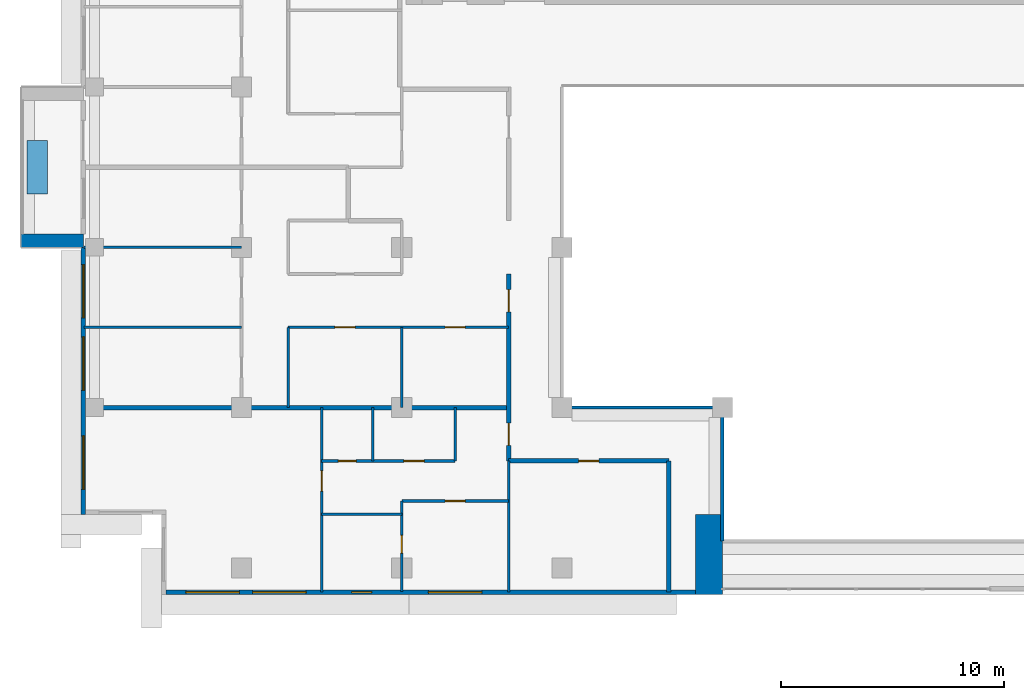
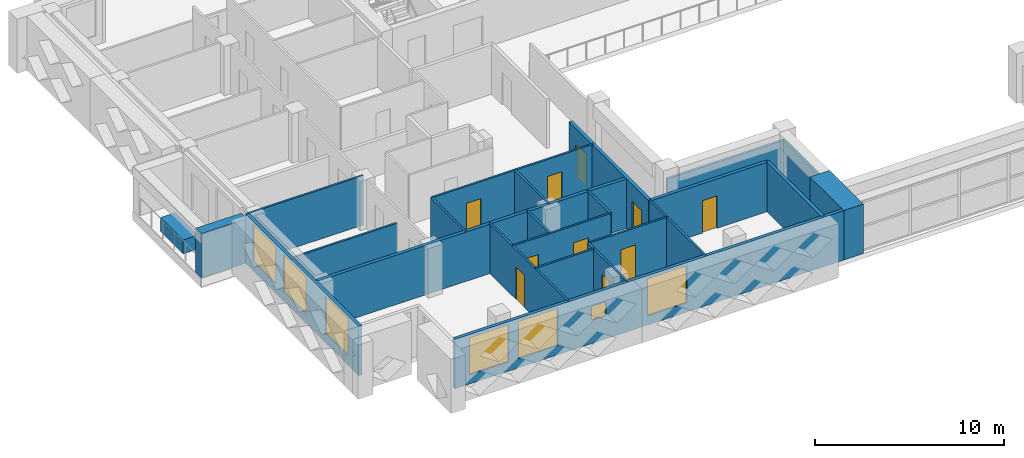
# One storey, part 6 of 20: 24 walls, 10 doors, 7 windows, 17 openings.
"""IFC4 building model written with IfcOpenShell, lengths in metres."""

from ifc_helpers import new_model, si_unit, direction, frame, frame_2d, origin, place, context, subcontext, project, spatial, rectangle, extrude, material, layer, layer_set, type_object, element, fill, save


model = new_model("IFC4")

# Units and contexts
model_context = context("Model", 3, precision=1e-05, world=origin(), true_north=direction((0.0, 1.0)))
body_context = subcontext(model_context, "Body", "Model", "MODEL_VIEW")
ifc_project = project(units=[si_unit("LENGTHUNIT", "METRE"), si_unit("AREAUNIT", "SQUARE_METRE"), si_unit("VOLUMEUNIT", "CUBIC_METRE"), si_unit("PLANEANGLEUNIT", "RADIAN"), si_unit("MASSUNIT", "GRAM", prefix="KILO")], contexts=[model_context])

# Site, building, storey
site_placement = place(None, origin())
site = spatial("IfcSite", under=ifc_project, at=site_placement, CompositionType="ELEMENT")
building_placement = place(site_placement, origin())
building = spatial("IfcBuilding", under=site, at=building_placement, Name="Saffron Iwan Residences", CompositionType="ELEMENT")
storey_placement = place(building_placement, frame((0.0, 0.0, 185.0)))
storey = spatial("IfcBuildingStorey", under=building, at=storey_placement, Name="L49", CompositionType="ELEMENT", Elevation=185.0)

# Walls
ifc_material_1 = material(Name="Fire-rated glazing", Category="glass")
ifc_layer_1 = layer(ifc_material_1, 0.14990234375)
ifc_layer_set_1 = layer_set([ifc_layer_1], Name="Fire-rated glazing")
wall_type_1 = type_object("IfcWallType", Name="Atrium glazed screen 150", PredefinedType="SOLIDWALL", material=ifc_layer_set_1)
wall_1_placement = place(storey_placement, frame((36.0, 48.0, 0.0), z_axis=(0.0, 0.0, 1.0), x_axis=(1.0, 0.0, 0.0)))
element("IfcWall", 1, at=wall_1_placement, inside=storey, type_object=wall_type_1, Name="W-L49-SCREEN-h48-36", PredefinedType="SOLIDWALL", context=body_context, shape_type="SweptSolid", body=[
    extrude(rectangle(XDim=7.199951171875, YDim=0.14990234375, at=frame_2d((3.60009765625, 0.0))), origin(), (0.0, 0.0, 1.0), 2.300048828125),
])
wall_2_placement = place(storey_placement, frame((43.199951171875, 42.0, 0.0), z_axis=(0.0, 0.0, 1.0), x_axis=(0.0, 1.0, 0.0)))
element("IfcWall", 2, at=wall_2_placement, inside=storey, type_object=wall_type_1, Name="W-L49-SCREEN-v43.2-42", PredefinedType="SOLIDWALL", context=body_context, shape_type="SweptSolid", body=[
    extrude(rectangle(XDim=6.0, YDim=0.14990234375, at=frame_2d((3.0, 0.0))), origin(), (0.0, 0.0, 1.0), 2.300048828125),
])
ifc_material_2 = material(Name="Concrete C50/60 white painted", Category="concrete")
ifc_layer_2 = layer(ifc_material_2, 0.60009765625)
ifc_layer_set_2 = layer_set([ifc_layer_2], Name="Concrete C50/60 white painted")
wall_type_2 = type_object("IfcWallType", Name="BALCONY FIN 600", PredefinedType="SOLIDWALL", material=ifc_layer_set_2)
wall_3_placement = place(storey_placement, frame((14.5, 55.5, 0.0), z_axis=(0.0, 0.0, 1.0), x_axis=(-1.0, 0.0, 0.0)))
element("IfcWall", 3, at=wall_3_placement, inside=storey, type_object=wall_type_2, Name="Balcony fin L49 F8-0b", PredefinedType="SOLIDWALL", context=body_context, shape_type="SweptSolid", body=[
    extrude(rectangle(XDim=2.800048828125, YDim=0.60009765625, at=frame_2d((1.39990234375, 0.0))), origin(), (0.0, 0.0, 1.0), 2.85009765625),
])
ifc_material_3 = material(Name="Concrete C35/45 white painted", Category="concrete")
ifc_layer_3 = layer(ifc_material_3, 0.14990234375)
ifc_layer_set_3 = layer_set([ifc_layer_3], Name="Concrete C35/45 white painted")
wall_type_3 = type_object("IfcWallType", Name="BALCONY PLANTER", PredefinedType="SOLIDWALL", material=ifc_layer_set_3)
wall_4_placement = place(storey_placement, frame((12.425048828125, 60.0, 0.0), z_axis=(0.0, 0.0, 1.0), x_axis=(0.0, -1.0, 0.0)))
element("IfcWall", 4, at=wall_4_placement, inside=storey, type_object=wall_type_3, Name="PLANTER L49 F8-0", PredefinedType="SOLIDWALL", context=body_context, shape_type="SweptSolid", body=[
    extrude(rectangle(XDim=2.39990234375, YDim=0.89990234375, at=frame_2d((1.199951171875, 0.0))), origin(), (0.0, 0.0, 1.0), 0.89990234375),
])

# Wall, openings, windows
ifc_material_4 = material(Name="Concrete C40/50", Category="concrete")
ifc_layer_4 = layer(ifc_material_4, 0.199951171875)
ifc_layer_set_4 = layer_set([ifc_layer_4], Name="Concrete C40/50")
wall_type_4 = type_object("IfcWallType", Name="EXTERNAL WALL 200", PredefinedType="SOLIDWALL", material=ifc_layer_set_4)
wall_5_placement = place(storey_placement, frame((14.5, 55.199951171875, 0.0), z_axis=(0.0, 0.0, 1.0), x_axis=(0.0, -1.0, 0.0)))
wall_5 = element("IfcWall", 5, at=wall_5_placement, inside=storey, type_object=wall_type_4, Name="External wall L49 F8.2", PredefinedType="SOLIDWALL", context=body_context, shape_type="SweptSolid", body=[
    extrude(rectangle(XDim=12.0, YDim=0.199951171875, at=frame_2d((6.0, 0.0))), origin(), (0.0, 0.0, 1.0), 3.199951171875),
])
opening_1_placement = place(wall_5_placement, frame((8.47509765625, 0.0, 0.60009765625)))
opening_1 = element("IfcOpeningElement", 6, at=opening_1_placement, cuts=wall_5, Name="Opening W1", PredefinedType="OPENING", context=body_context, shape_type="SweptSolid", body=[
    extrude(rectangle(XDim=2.39990234375, YDim=2.39990234375, at=frame_2d((1.199951171875, 1.199951171875))), frame((0.0, 0.10986328125, 0.0), z_axis=(0.0, -1.0, 0.0), x_axis=(1.0, 0.0, 0.0)), (0.0, 0.0, 1.0), 0.219970703125),
])
opening_2_placement = place(wall_5_placement, frame((4.02490234375, 0.0, 0.60009765625)))
opening_2 = element("IfcOpeningElement", 7, at=opening_2_placement, cuts=wall_5, Name="Opening W1", PredefinedType="OPENING", context=body_context, shape_type="SweptSolid", body=[
    extrude(rectangle(XDim=2.39990234375, YDim=2.39990234375, at=frame_2d((1.199951171875, 1.199951171875))), frame((0.0, 0.10986328125, 0.0), z_axis=(0.0, -1.0, 0.0), x_axis=(1.0, 0.0, 0.0)), (0.0, 0.0, 1.0), 0.219970703125),
])
opening_3_placement = place(wall_5_placement, frame((0.77490234375, 0.0, 0.60009765625)))
opening_3 = element("IfcOpeningElement", 8, at=opening_3_placement, cuts=wall_5, Name="Opening W1", PredefinedType="OPENING", context=body_context, shape_type="SweptSolid", body=[
    extrude(rectangle(XDim=2.39990234375, YDim=2.39990234375, at=frame_2d((1.199951171875, 1.199951171875))), frame((0.0, 0.10986328125, 0.0), z_axis=(0.0, -1.0, 0.0), x_axis=(1.0, 0.0, 0.0)), (0.0, 0.0, 1.0), 0.219970703125),
])
ifc_material_5 = material(Name="Clear glass, laminated double glazed", Category="glass")
window_type_1 = type_object("IfcWindowType", Name="WINDOW 2400 x 2400", PartitioningType="DOUBLE_PANEL_VERTICAL", PredefinedType="WINDOW", material=ifc_material_5)
window_1_placement = place(opening_1_placement, origin())
window_1 = element("IfcWindow", 9, at=window_1_placement, inside=storey, type_object=window_type_1, Name="Window L49 F8.0", OverallHeight=2.39990234375, OverallWidth=2.39990234375, PartitioningType="DOUBLE_PANEL_VERTICAL", PredefinedType="WINDOW", context=body_context, shape_type="SweptSolid", body=[
    extrude(rectangle(XDim=2.39990234375, YDim=2.39990234375, at=frame_2d((1.199951171875, 1.199951171875))), frame((0.0, 0.030029296875, 0.0), z_axis=(0.0, -1.0, 0.0), x_axis=(1.0, 0.0, 0.0)), (0.0, 0.0, 1.0), 0.06005859375),
])
fill(opening_1, window_1)
window_2_placement = place(opening_2_placement, origin())
window_2 = element("IfcWindow", 10, at=window_2_placement, inside=storey, type_object=window_type_1, Name="Window L49 F8.1", OverallHeight=2.39990234375, OverallWidth=2.39990234375, PartitioningType="DOUBLE_PANEL_VERTICAL", PredefinedType="WINDOW", context=body_context, shape_type="SweptSolid", body=[
    extrude(rectangle(XDim=2.39990234375, YDim=2.39990234375, at=frame_2d((1.199951171875, 1.199951171875))), frame((0.0, 0.030029296875, 0.0), z_axis=(0.0, -1.0, 0.0), x_axis=(1.0, 0.0, 0.0)), (0.0, 0.0, 1.0), 0.06005859375),
])
fill(opening_2, window_2)
window_3_placement = place(opening_3_placement, origin())
window_3 = element("IfcWindow", 11, at=window_3_placement, inside=storey, type_object=window_type_1, Name="Window L49 F8.2", OverallHeight=2.39990234375, OverallWidth=2.39990234375, PartitioningType="DOUBLE_PANEL_VERTICAL", PredefinedType="WINDOW", context=body_context, shape_type="SweptSolid", body=[
    extrude(rectangle(XDim=2.39990234375, YDim=2.39990234375, at=frame_2d((1.199951171875, 1.199951171875))), frame((0.0, 0.030029296875, 0.0), z_axis=(0.0, -1.0, 0.0), x_axis=(1.0, 0.0, 0.0)), (0.0, 0.0, 1.0), 0.06005859375),
])
fill(opening_3, window_3)

wall_6_placement = place(storey_placement, frame((18.199951171875, 39.699951171875, 0.0), z_axis=(0.0, 0.0, 1.0), x_axis=(1.0, 0.0, 0.0)))
wall_6 = element("IfcWall", 12, at=wall_6_placement, inside=storey, type_object=wall_type_4, Name="External wall L49 F11.0", PredefinedType="SOLIDWALL", context=body_context, shape_type="SweptSolid", body=[
    extrude(rectangle(XDim=23.800048828125, YDim=0.199951171875, at=frame_2d((11.89990234375, 0.0))), origin(), (0.0, 0.0, 1.0), 3.199951171875),
])
opening_4_placement = place(wall_6_placement, frame((0.89990234375, 0.0, 0.60009765625)))
opening_4 = element("IfcOpeningElement", 13, at=opening_4_placement, cuts=wall_6, Name="Opening W1", PredefinedType="OPENING", context=body_context, shape_type="SweptSolid", body=[
    extrude(rectangle(XDim=2.39990234375, YDim=2.39990234375, at=frame_2d((1.199951171875, 1.199951171875))), frame((0.0, 0.10986328125, 0.0), z_axis=(0.0, -1.0, 0.0), x_axis=(1.0, 0.0, 0.0)), (0.0, 0.0, 1.0), 0.219970703125),
])
opening_5_placement = place(wall_6_placement, frame((3.89990234375, 0.0, 0.60009765625)))
opening_5 = element("IfcOpeningElement", 14, at=opening_5_placement, cuts=wall_6, Name="Opening W1", PredefinedType="OPENING", context=body_context, shape_type="SweptSolid", body=[
    extrude(rectangle(XDim=2.39990234375, YDim=2.39990234375, at=frame_2d((1.199951171875, 1.199951171875))), frame((0.0, 0.10986328125, 0.0), z_axis=(0.0, -1.0, 0.0), x_axis=(1.0, 0.0, 0.0)), (0.0, 0.0, 1.0), 0.219970703125),
])
opening_6_placement = place(wall_6_placement, frame((11.800048828125, 0.0, 0.60009765625)))
opening_6 = element("IfcOpeningElement", 15, at=opening_6_placement, cuts=wall_6, Name="Opening W1", PredefinedType="OPENING", context=body_context, shape_type="SweptSolid", body=[
    extrude(rectangle(XDim=2.39990234375, YDim=2.39990234375, at=frame_2d((1.199951171875, 1.199951171875))), frame((0.0, 0.10986328125, 0.0), z_axis=(0.0, -1.0, 0.0), x_axis=(1.0, 0.0, 0.0)), (0.0, 0.0, 1.0), 0.219970703125),
])
opening_7_placement = place(wall_6_placement, frame((8.35009765625, 0.0, 1.5)))
opening_7 = element("IfcOpeningElement", 16, at=opening_7_placement, cuts=wall_6, Name="Opening W6", PredefinedType="OPENING", context=body_context, shape_type="SweptSolid", body=[
    extrude(rectangle(XDim=0.89990234375, YDim=0.89990234375, at=frame_2d((0.449951171875, 0.449951171875))), frame((0.0, 0.10986328125, 0.0), z_axis=(0.0, -1.0, 0.0), x_axis=(1.0, 0.0, 0.0)), (0.0, 0.0, 1.0), 0.219970703125),
])
window_4_placement = place(opening_4_placement, origin())
window_4 = element("IfcWindow", 17, at=window_4_placement, inside=storey, type_object=window_type_1, Name="Window L49 F11.0", OverallHeight=2.39990234375, OverallWidth=2.39990234375, PartitioningType="DOUBLE_PANEL_VERTICAL", PredefinedType="WINDOW", context=body_context, shape_type="SweptSolid", body=[
    extrude(rectangle(XDim=2.39990234375, YDim=2.39990234375, at=frame_2d((1.199951171875, 1.199951171875))), frame((0.0, 0.030029296875, 0.0), z_axis=(0.0, -1.0, 0.0), x_axis=(1.0, 0.0, 0.0)), (0.0, 0.0, 1.0), 0.06005859375),
])
fill(opening_4, window_4)
window_5_placement = place(opening_5_placement, origin())
window_5 = element("IfcWindow", 18, at=window_5_placement, inside=storey, type_object=window_type_1, Name="Window L49 F11.1", OverallHeight=2.39990234375, OverallWidth=2.39990234375, PartitioningType="DOUBLE_PANEL_VERTICAL", PredefinedType="WINDOW", context=body_context, shape_type="SweptSolid", body=[
    extrude(rectangle(XDim=2.39990234375, YDim=2.39990234375, at=frame_2d((1.199951171875, 1.199951171875))), frame((0.0, 0.030029296875, 0.0), z_axis=(0.0, -1.0, 0.0), x_axis=(1.0, 0.0, 0.0)), (0.0, 0.0, 1.0), 0.06005859375),
])
fill(opening_5, window_5)
window_6_placement = place(opening_6_placement, origin())
window_6 = element("IfcWindow", 19, at=window_6_placement, inside=storey, type_object=window_type_1, Name="Window L49 F11.2", OverallHeight=2.39990234375, OverallWidth=2.39990234375, PartitioningType="DOUBLE_PANEL_VERTICAL", PredefinedType="WINDOW", context=body_context, shape_type="SweptSolid", body=[
    extrude(rectangle(XDim=2.39990234375, YDim=2.39990234375, at=frame_2d((1.199951171875, 1.199951171875))), frame((0.0, 0.030029296875, 0.0), z_axis=(0.0, -1.0, 0.0), x_axis=(1.0, 0.0, 0.0)), (0.0, 0.0, 1.0), 0.06005859375),
])
fill(opening_6, window_6)
window_type_2 = type_object("IfcWindowType", Name="WINDOW 900 x 900 BATH", PartitioningType="SINGLE_PANEL", PredefinedType="WINDOW", material=ifc_material_5)
window_7_placement = place(opening_7_placement, origin())
window_7 = element("IfcWindow", 20, at=window_7_placement, inside=storey, type_object=window_type_2, Name="Window L49 F11.3", OverallHeight=0.89990234375, OverallWidth=0.89990234375, PartitioningType="SINGLE_PANEL", PredefinedType="WINDOW", context=body_context, shape_type="SweptSolid", body=[
    extrude(rectangle(XDim=0.89990234375, YDim=0.89990234375, at=frame_2d((0.449951171875, 0.449951171875))), frame((0.0, 0.030029296875, 0.0), z_axis=(0.0, -1.0, 0.0), x_axis=(1.0, 0.0, 0.0)), (0.0, 0.0, 1.0), 0.06005859375),
])
fill(opening_7, window_7)

# Walls
ifc_material_6 = material(Name="Fire-rated gypsum board wall")
ifc_layer_5 = layer(ifc_material_6, 0.199951171875)
ifc_layer_set_5 = layer_set([ifc_layer_5], Name="Fire-rated gypsum board wall")
wall_type_5 = type_object("IfcWallType", Name="Flat demising wall 200", PredefinedType="SOLIDWALL", material=ifc_layer_set_5)
wall_7_placement = place(storey_placement, frame((14.52490234375, 48.0, 0.0), z_axis=(0.0, 0.0, 1.0), x_axis=(1.0, 0.0, 0.0)))
element("IfcWall", 21, at=wall_7_placement, inside=storey, type_object=wall_type_5, Name="W-L49-DEMISE-h48-14.525", PredefinedType="SOLIDWALL", context=body_context, shape_type="SweptSolid", body=[
    extrude(rectangle(XDim=19.0751953125, YDim=0.199951171875, at=frame_2d((9.53759765625, 0.0))), origin(), (0.0, 0.0, 1.0), 3.199951171875),
])
ifc_material_7 = material(Name="Gypsum board partition")
ifc_layer_6 = layer(ifc_material_7, 0.1201171875)
ifc_layer_set_6 = layer_set([ifc_layer_6], Name="Gypsum board partition")
wall_type_6 = type_object("IfcWallType", Name="Flat partition 120", PredefinedType="PARTITIONING", material=ifc_layer_set_6)
wall_8_placement = place(storey_placement, frame((25.199951171875, 43.199951171875, 0.0), z_axis=(0.0, 0.0, 1.0), x_axis=(1.0, 0.0, 0.0)))
element("IfcWall", 22, at=wall_8_placement, inside=storey, type_object=wall_type_6, Name="W-L49-PART-h43.2-25.2", PredefinedType="PARTITIONING", context=body_context, shape_type="SweptSolid", body=[
    extrude(rectangle(XDim=3.60009765625, YDim=0.1201171875, at=frame_2d((1.800048828125, 0.0))), origin(), (0.0, 0.0, 1.0), 3.199951171875),
])

# Wall, opening, door
wall_9_placement = place(storey_placement, frame((28.800048828125, 43.800048828125, 0.0), z_axis=(0.0, 0.0, 1.0), x_axis=(1.0, 0.0, 0.0)))
wall_9 = element("IfcWall", 23, at=wall_9_placement, inside=storey, type_object=wall_type_6, Name="W-L49-PART-h43.8-28.8", PredefinedType="PARTITIONING", context=body_context, shape_type="SweptSolid", body=[
    extrude(rectangle(XDim=4.800048828125, YDim=0.1201171875, at=frame_2d((2.39990234375, 0.0))), origin(), (0.0, 0.0, 1.0), 3.199951171875),
])
opening_8_placement = place(wall_9_placement, frame((1.949951171875, 0.0, 0.0)))
opening_8 = element("IfcOpeningElement", 24, at=opening_8_placement, cuts=wall_9, Name="Opening FD2", PredefinedType="OPENING", context=body_context, shape_type="SweptSolid", body=[
    extrude(rectangle(XDim=0.89990234375, YDim=2.10009765625, at=frame_2d((0.449951171875, 1.050048828125))), frame((0.0, 0.070068359375, 0.0), z_axis=(0.0, -1.0, 0.0), x_axis=(1.0, 0.0, 0.0)), (0.0, 0.0, 1.0), 0.14013671875),
])
ifc_material_8 = material(Name="Timber door", Category="wood")
door_type_1 = type_object("IfcDoorType", Name="Flat door 900", OperationType="NOTDEFINED", PredefinedType="DOOR", material=ifc_material_8)
door_1_placement = place(opening_8_placement, origin())
door_1 = element("IfcDoor", 25, at=door_1_placement, inside=storey, type_object=door_type_1, Name="Door L49-003", OperationType="SINGLE_SWING_RIGHT", OverallHeight=2.10009765625, OverallWidth=0.89990234375, PredefinedType="DOOR", context=body_context, shape_type="SweptSolid", body=[
    extrude(rectangle(XDim=0.89990234375, YDim=2.10009765625, at=frame_2d((0.449951171875, 1.050048828125))), frame((0.0, 0.02490234375, 0.0), z_axis=(0.0, -1.0, 0.0), x_axis=(1.0, 0.0, 0.0)), (0.0, 0.0, 1.0), 0.050048828125),
])
fill(opening_8, door_1)

# Wall, openings, doors
wall_10_placement = place(storey_placement, frame((25.199951171875, 45.60009765625, 0.0), z_axis=(0.0, 0.0, 1.0), x_axis=(1.0, 0.0, 0.0)))
wall_10 = element("IfcWall", 26, at=wall_10_placement, inside=storey, type_object=wall_type_6, Name="W-L49-PART-h45.6-25.2", PredefinedType="PARTITIONING", context=body_context, shape_type="SweptSolid", body=[
    extrude(rectangle(XDim=6.0, YDim=0.1201171875, at=frame_2d((3.0, 0.0))), origin(), (0.0, 0.0, 1.0), 3.199951171875),
])
opening_9_placement = place(wall_10_placement, frame((0.75, 0.0, 0.0)))
opening_9 = element("IfcOpeningElement", 27, at=opening_9_placement, cuts=wall_10, Name="Opening FD3", PredefinedType="OPENING", context=body_context, shape_type="SweptSolid", body=[
    extrude(rectangle(XDim=0.800048828125, YDim=2.10009765625, at=frame_2d((0.39990234375, 1.050048828125))), frame((0.0, 0.070068359375, 0.0), z_axis=(0.0, -1.0, 0.0), x_axis=(1.0, 0.0, 0.0)), (0.0, 0.0, 1.0), 0.14013671875),
])
opening_10_placement = place(wall_10_placement, frame((3.699951171875, 0.0, 0.0)))
opening_10 = element("IfcOpeningElement", 28, at=opening_10_placement, cuts=wall_10, Name="Opening FD2", PredefinedType="OPENING", context=body_context, shape_type="SweptSolid", body=[
    extrude(rectangle(XDim=0.89990234375, YDim=2.10009765625, at=frame_2d((0.449951171875, 1.050048828125))), frame((0.0, 0.070068359375, 0.0), z_axis=(0.0, -1.0, 0.0), x_axis=(1.0, 0.0, 0.0)), (0.0, 0.0, 1.0), 0.14013671875),
])
door_type_2 = type_object("IfcDoorType", Name="Bathroom door 800", OperationType="NOTDEFINED", PredefinedType="DOOR", material=ifc_material_8)
door_2_placement = place(opening_9_placement, origin())
door_2 = element("IfcDoor", 29, at=door_2_placement, inside=storey, type_object=door_type_2, Name="Door L49-005", OperationType="SINGLE_SWING_LEFT", OverallHeight=2.10009765625, OverallWidth=0.800048828125, PredefinedType="DOOR", context=body_context, shape_type="SweptSolid", body=[
    extrude(rectangle(XDim=0.800048828125, YDim=2.10009765625, at=frame_2d((0.39990234375, 1.050048828125))), frame((0.0, 0.02490234375, 0.0), z_axis=(0.0, -1.0, 0.0), x_axis=(1.0, 0.0, 0.0)), (0.0, 0.0, 1.0), 0.050048828125),
])
fill(opening_9, door_2)
door_3_placement = place(opening_10_placement, origin())
door_3 = element("IfcDoor", 30, at=door_3_placement, inside=storey, type_object=door_type_1, Name="Door L49-006", OperationType="SINGLE_SWING_RIGHT", OverallHeight=2.10009765625, OverallWidth=0.89990234375, PredefinedType="DOOR", context=body_context, shape_type="SweptSolid", body=[
    extrude(rectangle(XDim=0.89990234375, YDim=2.10009765625, at=frame_2d((0.449951171875, 1.050048828125))), frame((0.0, 0.02490234375, 0.0), z_axis=(0.0, -1.0, 0.0), x_axis=(1.0, 0.0, 0.0)), (0.0, 0.0, 1.0), 0.050048828125),
])
fill(opening_10, door_3)

# Wall
wall_11_placement = place(storey_placement, frame((14.52490234375, 51.60009765625, 0.0), z_axis=(0.0, 0.0, 1.0), x_axis=(1.0, 0.0, 0.0)))
element("IfcWall", 31, at=wall_11_placement, inside=storey, type_object=wall_type_6, Name="W-L49-PART-h51.6-14.525", PredefinedType="PARTITIONING", context=body_context, shape_type="SweptSolid", body=[
    extrude(rectangle(XDim=7.0751953125, YDim=0.1201171875, at=frame_2d((3.53759765625, 0.0))), origin(), (0.0, 0.0, 1.0), 2.300048828125),
])

# Wall, openings, doors
wall_12_placement = place(storey_placement, frame((23.699951171875, 51.60009765625, 0.0), z_axis=(0.0, 0.0, 1.0), x_axis=(1.0, 0.0, 0.0)))
wall_12 = element("IfcWall", 32, at=wall_12_placement, inside=storey, type_object=wall_type_6, Name="W-L49-PART-h51.6-23.7", PredefinedType="PARTITIONING", context=body_context, shape_type="SweptSolid", body=[
    extrude(rectangle(XDim=9.900146484375, YDim=0.1201171875, at=frame_2d((4.9501953125, 0.0))), origin(), (0.0, 0.0, 1.0), 3.199951171875),
])
opening_11_placement = place(wall_12_placement, frame((2.10009765625, 0.0, 0.0)))
opening_11 = element("IfcOpeningElement", 33, at=opening_11_placement, cuts=wall_12, Name="Opening FD2", PredefinedType="OPENING", context=body_context, shape_type="SweptSolid", body=[
    extrude(rectangle(XDim=0.89990234375, YDim=2.10009765625, at=frame_2d((0.449951171875, 1.050048828125))), frame((0.0, 0.070068359375, 0.0), z_axis=(0.0, -1.0, 0.0), x_axis=(1.0, 0.0, 0.0)), (0.0, 0.0, 1.0), 0.14013671875),
])
opening_12_placement = place(wall_12_placement, frame((7.050048828125, 0.0, 0.0)))
opening_12 = element("IfcOpeningElement", 34, at=opening_12_placement, cuts=wall_12, Name="Opening FD2", PredefinedType="OPENING", context=body_context, shape_type="SweptSolid", body=[
    extrude(rectangle(XDim=0.89990234375, YDim=2.10009765625, at=frame_2d((0.449951171875, 1.050048828125))), frame((0.0, 0.070068359375, 0.0), z_axis=(0.0, -1.0, 0.0), x_axis=(1.0, 0.0, 0.0)), (0.0, 0.0, 1.0), 0.14013671875),
])
door_4_placement = place(opening_11_placement, origin())
door_4 = element("IfcDoor", 35, at=door_4_placement, inside=storey, type_object=door_type_1, Name="Door L49-012", OperationType="SINGLE_SWING_RIGHT", OverallHeight=2.10009765625, OverallWidth=0.89990234375, PredefinedType="DOOR", context=body_context, shape_type="SweptSolid", body=[
    extrude(rectangle(XDim=0.89990234375, YDim=2.10009765625, at=frame_2d((0.449951171875, 1.050048828125))), frame((0.0, 0.02490234375, 0.0), z_axis=(0.0, -1.0, 0.0), x_axis=(1.0, 0.0, 0.0)), (0.0, 0.0, 1.0), 0.050048828125),
])
fill(opening_11, door_4)
door_5_placement = place(opening_12_placement, origin())
door_5 = element("IfcDoor", 36, at=door_5_placement, inside=storey, type_object=door_type_1, Name="Door L49-014", OperationType="SINGLE_SWING_LEFT", OverallHeight=2.10009765625, OverallWidth=0.89990234375, PredefinedType="DOOR", context=body_context, shape_type="SweptSolid", body=[
    extrude(rectangle(XDim=0.89990234375, YDim=2.10009765625, at=frame_2d((0.449951171875, 1.050048828125))), frame((0.0, 0.02490234375, 0.0), z_axis=(0.0, -1.0, 0.0), x_axis=(1.0, 0.0, 0.0)), (0.0, 0.0, 1.0), 0.050048828125),
])
fill(opening_12, door_5)

# Walls
wall_13_placement = place(storey_placement, frame((14.52490234375, 55.199951171875, 0.0), z_axis=(0.0, 0.0, 1.0), x_axis=(1.0, 0.0, 0.0)))
element("IfcWall", 37, at=wall_13_placement, inside=storey, type_object=wall_type_6, Name="W-L49-PART-h55.2-14.525", PredefinedType="PARTITIONING", context=body_context, shape_type="SweptSolid", body=[
    extrude(rectangle(XDim=7.0751953125, YDim=0.1201171875, at=frame_2d((3.53759765625, 0.0))), origin(), (0.0, 0.0, 1.0), 3.199951171875),
])
wall_14_placement = place(storey_placement, frame((23.699951171875, 48.0, 0.0), z_axis=(0.0, 0.0, 1.0), x_axis=(0.0, 1.0, 0.0)))
element("IfcWall", 38, at=wall_14_placement, inside=storey, type_object=wall_type_6, Name="W-L49-PART-v23.7-48", PredefinedType="PARTITIONING", context=body_context, shape_type="SweptSolid", body=[
    extrude(rectangle(XDim=3.60009765625, YDim=0.1201171875, at=frame_2d((1.800048828125, 0.0))), origin(), (0.0, 0.0, 1.0), 3.199951171875),
])

# Wall, opening, door
wall_15_placement = place(storey_placement, frame((25.199951171875, 39.72509765625, 0.0), z_axis=(0.0, 0.0, 1.0), x_axis=(0.0, 1.0, 0.0)))
wall_15 = element("IfcWall", 39, at=wall_15_placement, inside=storey, type_object=wall_type_6, Name="W-L49-PART-v25.2-39.725", PredefinedType="PARTITIONING", context=body_context, shape_type="SweptSolid", body=[
    extrude(rectangle(XDim=8.27490234375, YDim=0.1201171875, at=frame_2d((4.137451171875, 0.0))), origin(), (0.0, 0.0, 1.0), 3.199951171875),
])
opening_13_placement = place(wall_15_placement, frame((4.52490234375, 0.0, 0.0)))
opening_13 = element("IfcOpeningElement", 40, at=opening_13_placement, cuts=wall_15, Name="Opening FD2", PredefinedType="OPENING", context=body_context, shape_type="SweptSolid", body=[
    extrude(rectangle(XDim=0.89990234375, YDim=2.10009765625, at=frame_2d((0.449951171875, 1.050048828125))), frame((0.0, 0.070068359375, 0.0), z_axis=(0.0, -1.0, 0.0), x_axis=(1.0, 0.0, 0.0)), (0.0, 0.0, 1.0), 0.14013671875),
])
door_6_placement = place(opening_13_placement, origin())
door_6 = element("IfcDoor", 41, at=door_6_placement, inside=storey, type_object=door_type_1, Name="Door L49-002", OperationType="SINGLE_SWING_LEFT", OverallHeight=2.10009765625, OverallWidth=0.89990234375, PredefinedType="DOOR", context=body_context, shape_type="SweptSolid", body=[
    extrude(rectangle(XDim=0.89990234375, YDim=2.10009765625, at=frame_2d((0.449951171875, 1.050048828125))), frame((0.0, 0.02490234375, 0.0), z_axis=(0.0, -1.0, 0.0), x_axis=(1.0, 0.0, 0.0)), (0.0, 0.0, 1.0), 0.050048828125),
])
fill(opening_13, door_6)

# Wall
wall_16_placement = place(storey_placement, frame((27.5, 45.60009765625, 0.0), z_axis=(0.0, 0.0, 1.0), x_axis=(0.0, 1.0, 0.0)))
element("IfcWall", 42, at=wall_16_placement, inside=storey, type_object=wall_type_6, Name="W-L49-PART-v27.5-45.6", PredefinedType="PARTITIONING", context=body_context, shape_type="SweptSolid", body=[
    extrude(rectangle(XDim=2.39990234375, YDim=0.1201171875, at=frame_2d((1.199951171875, 0.0))), origin(), (0.0, 0.0, 1.0), 3.199951171875),
])

# Wall, opening, door
wall_17_placement = place(storey_placement, frame((28.800048828125, 39.72509765625, 0.0), z_axis=(0.0, 0.0, 1.0), x_axis=(0.0, 1.0, 0.0)))
wall_17 = element("IfcWall", 43, at=wall_17_placement, inside=storey, type_object=wall_type_6, Name="W-L49-PART-v28.8-39.725", PredefinedType="PARTITIONING", context=body_context, shape_type="SweptSolid", body=[
    extrude(rectangle(XDim=4.074951171875, YDim=0.1201171875, at=frame_2d((2.03759765625, 0.0))), origin(), (0.0, 0.0, 1.0), 3.199951171875),
])
opening_14_placement = place(wall_17_placement, frame((1.737548828125, 0.0, 0.0)))
opening_14 = element("IfcOpeningElement", 44, at=opening_14_placement, cuts=wall_17, Name="Opening FD3", PredefinedType="OPENING", context=body_context, shape_type="SweptSolid", body=[
    extrude(rectangle(XDim=0.800048828125, YDim=2.10009765625, at=frame_2d((0.39990234375, 1.050048828125))), frame((0.0, 0.070068359375, 0.0), z_axis=(0.0, -1.0, 0.0), x_axis=(1.0, 0.0, 0.0)), (0.0, 0.0, 1.0), 0.14013671875),
])
door_7_placement = place(opening_14_placement, origin())
door_7 = element("IfcDoor", 45, at=door_7_placement, inside=storey, type_object=door_type_2, Name="Door L49-004", OperationType="SINGLE_SWING_RIGHT", OverallHeight=2.10009765625, OverallWidth=0.800048828125, PredefinedType="DOOR", context=body_context, shape_type="SweptSolid", body=[
    extrude(rectangle(XDim=0.800048828125, YDim=2.10009765625, at=frame_2d((0.39990234375, 1.050048828125))), frame((0.0, 0.02490234375, 0.0), z_axis=(0.0, -1.0, 0.0), x_axis=(1.0, 0.0, 0.0)), (0.0, 0.0, 1.0), 0.050048828125),
])
fill(opening_14, door_7)

# Walls
wall_18_placement = place(storey_placement, frame((28.800048828125, 48.0, 0.0), z_axis=(0.0, 0.0, 1.0), x_axis=(0.0, 1.0, 0.0)))
element("IfcWall", 46, at=wall_18_placement, inside=storey, type_object=wall_type_6, Name="W-L49-PART-v28.8-48", PredefinedType="PARTITIONING", context=body_context, shape_type="SweptSolid", body=[
    extrude(rectangle(XDim=3.60009765625, YDim=0.1201171875, at=frame_2d((1.800048828125, 0.0))), origin(), (0.0, 0.0, 1.0), 3.199951171875),
])
wall_19_placement = place(storey_placement, frame((31.199951171875, 45.60009765625, 0.0), z_axis=(0.0, 0.0, 1.0), x_axis=(0.0, 1.0, 0.0)))
element("IfcWall", 47, at=wall_19_placement, inside=storey, type_object=wall_type_6, Name="W-L49-PART-v31.2-45.6", PredefinedType="PARTITIONING", context=body_context, shape_type="SweptSolid", body=[
    extrude(rectangle(XDim=2.39990234375, YDim=0.1201171875, at=frame_2d((1.199951171875, 0.0))), origin(), (0.0, 0.0, 1.0), 3.199951171875),
])
wall_20_placement = place(storey_placement, frame((33.60009765625, 39.72509765625, 0.0), z_axis=(0.0, 0.0, 1.0), x_axis=(0.0, 1.0, 0.0)))
element("IfcWall", 48, at=wall_20_placement, inside=storey, type_object=wall_type_6, Name="W-L49-PART-v33.6-39.725", PredefinedType="PARTITIONING", context=body_context, shape_type="SweptSolid", body=[
    extrude(rectangle(XDim=5.875, YDim=0.1201171875, at=frame_2d((2.9375, 0.0))), origin(), (0.0, 0.0, 1.0), 3.199951171875),
])

# Wall, opening, door
ifc_layer_7 = layer(ifc_material_6, 0.199951171875)
ifc_layer_set_7 = layer_set([ifc_layer_7], Name="Fire-rated gypsum board wall")
wall_type_7 = type_object("IfcWallType", Name="Gallery wall 200", PredefinedType="SOLIDWALL", material=ifc_layer_set_7)
wall_21_placement = place(storey_placement, frame((33.60009765625, 45.60009765625, 0.0), z_axis=(0.0, 0.0, 1.0), x_axis=(1.0, 0.0, 0.0)))
wall_21 = element("IfcWall", 49, at=wall_21_placement, inside=storey, type_object=wall_type_7, Name="W-L49-CORR-h45.6-33.6", PredefinedType="SOLIDWALL", context=body_context, shape_type="SweptSolid", body=[
    extrude(rectangle(XDim=7.199951171875, YDim=0.199951171875, at=frame_2d((3.60009765625, 0.0))), origin(), (0.0, 0.0, 1.0), 3.199951171875),
])
opening_15_placement = place(wall_21_placement, frame((3.14990234375, 0.0, 0.0)))
opening_15 = element("IfcOpeningElement", 50, at=opening_15_placement, cuts=wall_21, Name="Opening FD2", PredefinedType="OPENING", context=body_context, shape_type="SweptSolid", body=[
    extrude(rectangle(XDim=0.89990234375, YDim=2.10009765625, at=frame_2d((0.449951171875, 1.050048828125))), frame((0.0, 0.10986328125, 0.0), z_axis=(0.0, -1.0, 0.0), x_axis=(1.0, 0.0, 0.0)), (0.0, 0.0, 1.0), 0.219970703125),
])
door_8_placement = place(opening_15_placement, origin())
door_8 = element("IfcDoor", 51, at=door_8_placement, inside=storey, type_object=door_type_1, Name="Door L49-007", OperationType="SINGLE_SWING_LEFT", OverallHeight=2.10009765625, OverallWidth=0.89990234375, PredefinedType="DOOR", context=body_context, shape_type="SweptSolid", body=[
    extrude(rectangle(XDim=0.89990234375, YDim=2.10009765625, at=frame_2d((0.449951171875, 1.050048828125))), frame((0.0, 0.02490234375, 0.0), z_axis=(0.0, -1.0, 0.0), x_axis=(1.0, 0.0, 0.0)), (0.0, 0.0, 1.0), 0.050048828125),
])
fill(opening_15, door_8)

# Wall, openings, doors
wall_22_placement = place(storey_placement, frame((33.60009765625, 45.60009765625, 0.0), z_axis=(0.0, 0.0, 1.0), x_axis=(0.0, 1.0, 0.0)))
wall_22 = element("IfcWall", 52, at=wall_22_placement, inside=storey, type_object=wall_type_7, Name="W-L49-CORR-v33.6-45.6", PredefinedType="SOLIDWALL", context=body_context, shape_type="SweptSolid", body=[
    extrude(rectangle(XDim=8.39990234375, YDim=0.199951171875, at=frame_2d((4.199951171875, 0.0))), origin(), (0.0, 0.0, 1.0), 3.199951171875),
])
opening_16_placement = place(wall_22_placement, frame((0.699951171875, 0.0, 0.0)))
opening_16 = element("IfcOpeningElement", 53, at=opening_16_placement, cuts=wall_22, Name="Opening FD1", PredefinedType="OPENING", context=body_context, shape_type="SweptSolid", body=[
    extrude(rectangle(XDim=1.0, YDim=2.10009765625, at=frame_2d((0.5, 1.050048828125))), frame((0.0, 0.10986328125, 0.0), z_axis=(0.0, -1.0, 0.0), x_axis=(1.0, 0.0, 0.0)), (0.0, 0.0, 1.0), 0.219970703125),
])
opening_17_placement = place(wall_22_placement, frame((6.699951171875, 0.0, 0.0)))
opening_17 = element("IfcOpeningElement", 54, at=opening_17_placement, cuts=wall_22, Name="Opening FD1", PredefinedType="OPENING", context=body_context, shape_type="SweptSolid", body=[
    extrude(rectangle(XDim=1.0, YDim=2.10009765625, at=frame_2d((0.5, 1.050048828125))), frame((0.0, 0.10986328125, 0.0), z_axis=(0.0, -1.0, 0.0), x_axis=(1.0, 0.0, 0.0)), (0.0, 0.0, 1.0), 0.219970703125),
])
ifc_material_9 = material(Name="Fire-rated timber door", Category="wood")
door_type_3 = type_object("IfcDoorType", Name="FD30S flat entrance door 1000", OperationType="NOTDEFINED", PredefinedType="DOOR", material=ifc_material_9)
door_9_placement = place(opening_16_placement, origin())
door_9 = element("IfcDoor", 55, at=door_9_placement, inside=storey, type_object=door_type_3, Name="Door L49-001", OperationType="SINGLE_SWING_LEFT", OverallHeight=2.10009765625, OverallWidth=1.0, PredefinedType="DOOR", context=body_context, shape_type="SweptSolid", body=[
    extrude(rectangle(XDim=1.0, YDim=2.10009765625, at=frame_2d((0.5, 1.050048828125))), frame((0.0, 0.02490234375, 0.0), z_axis=(0.0, -1.0, 0.0), x_axis=(1.0, 0.0, 0.0)), (0.0, 0.0, 1.0), 0.050048828125),
])
fill(opening_16, door_9)
door_10_placement = place(opening_17_placement, origin())
door_10 = element("IfcDoor", 56, at=door_10_placement, inside=storey, type_object=door_type_3, Name="Door L49-008", OperationType="SINGLE_SWING_LEFT", OverallHeight=2.10009765625, OverallWidth=1.0, PredefinedType="DOOR", context=body_context, shape_type="SweptSolid", body=[
    extrude(rectangle(XDim=1.0, YDim=2.10009765625, at=frame_2d((0.5, 1.050048828125))), frame((0.0, 0.02490234375, 0.0), z_axis=(0.0, -1.0, 0.0), x_axis=(1.0, 0.0, 0.0)), (0.0, 0.0, 1.0), 0.050048828125),
])
fill(opening_17, door_10)

# Walls
wall_23_placement = place(storey_placement, frame((40.800048828125, 39.72509765625, 0.0), z_axis=(0.0, 0.0, 1.0), x_axis=(0.0, 1.0, 0.0)))
element("IfcWall", 57, at=wall_23_placement, inside=storey, type_object=wall_type_7, Name="W-L49-CORR-v40.8-39.725", PredefinedType="SOLIDWALL", context=body_context, shape_type="SweptSolid", body=[
    extrude(rectangle(XDim=5.875, YDim=0.199951171875, at=frame_2d((2.9375, 0.0))), origin(), (0.0, 0.0, 1.0), 3.199951171875),
])
ifc_material_10 = material(Name="Concrete C50/60", Category="concrete")
ifc_layer_8 = layer(ifc_material_10, 1.199951171875)
ifc_layer_set_8 = layer_set([ifc_layer_8], Name="Concrete C50/60")
wall_type_8 = type_object("IfcWallType", Name="WALL IWAN PIER 1200 C50/60 3200 HIGH", PredefinedType="SHEAR", material=ifc_layer_set_8)
wall_24_placement = place(storey_placement, frame((42.60009765625, 39.60009765625, 0.0), z_axis=(0.0, 0.0, 1.0), x_axis=(0.0, 1.0, 0.0)))
element("IfcWall", 58, at=wall_24_placement, inside=storey, type_object=wall_type_8, Name="IWAN PIER", PredefinedType="SHEAR", context=body_context, shape_type="SweptSolid", body=[
    extrude(rectangle(XDim=3.599853515625, YDim=1.199951171875, at=frame_2d((1.7998046875, 0.0))), origin(), (0.0, 0.0, 1.0), 3.199951171875),
])

save(model, "model.ifc")
